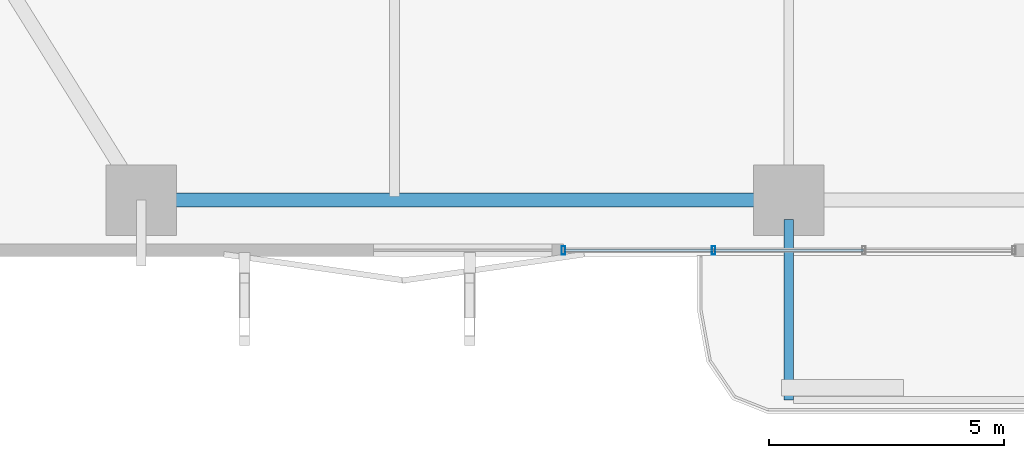
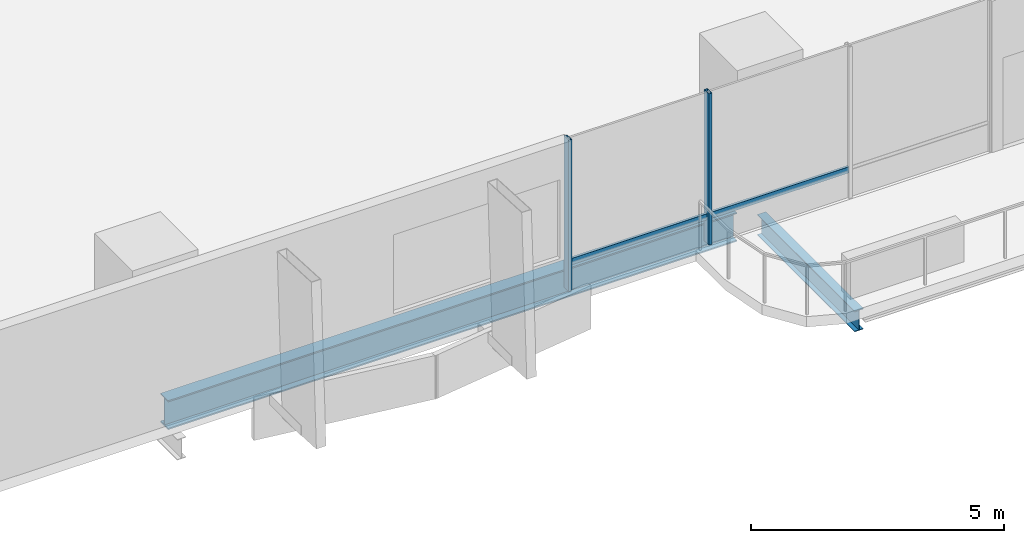
# One storey, part 2 of 24: 4 members, 2 beams, 1 element without a shape of its own.
"""IFC4 building model written with IfcOpenShell, lengths in metres."""

from ifc_helpers import new_model, si_unit, direction, frame, origin, origin_2d, place, context, subcontext, project, spatial, hollow_rectangle, i_section, extrude, material, layer, layer_set, material_profile, profile_set, type_object, element, aggregate, save


model = new_model("IFC4")

# Units and contexts
model_context = context("Model", 3, precision=1e-05, world=origin(), true_north=direction((0.0, 1.0)))
body_context = subcontext(model_context, "Body", "Model", "MODEL_VIEW")
ifc_project = project(units=[si_unit("LENGTHUNIT", "METRE"), si_unit("AREAUNIT", "SQUARE_METRE"), si_unit("VOLUMEUNIT", "CUBIC_METRE"), si_unit("PLANEANGLEUNIT", "RADIAN"), si_unit("MASSUNIT", "GRAM", prefix="KILO")], contexts=[model_context])

# Site, building, storey
site_placement = place(None, origin())
site = spatial("IfcSite", under=ifc_project, at=site_placement, CompositionType="ELEMENT")
building_placement = place(site_placement, origin())
building = spatial("IfcBuilding", under=site, at=building_placement, Name="Belovzor Exchange Tower", CompositionType="ELEMENT")
storey_placement = place(building_placement, frame((0.0, 0.0, 72.89990234375)))
storey = spatial("IfcBuildingStorey", under=building, at=storey_placement, Name="L17", CompositionType="ELEMENT", Elevation=72.89990234375)

# Beam
ifc_material_1 = material(Name="Steel S355", Category="steel")
ifc_material_profile_1 = material_profile(ifc_material_1, i_section(OverallWidth=0.199951171875, OverallDepth=0.5, WebThickness=0.01025390625, FlangeThickness=0.01611328125, at=origin_2d()))
ifc_profile_set_1 = profile_set([ifc_material_profile_1], Name="Steel S355")
beam_type_1 = type_object("IfcBeamType", Name="Planted Balcony Cantilever Beam IPE 500", PredefinedType="BEAM", material=ifc_profile_set_1)
beam_1_placement = place(storey_placement, frame((28.800048828125, 1.68798828125, -0.5), z_axis=(0.0, -1.0, 0.0), x_axis=(1.0, 0.0, 0.0)))
element("IfcBeam", 1, at=beam_1_placement, inside=storey, type_object=beam_type_1, Name="BC-500 Planted Balcony Cantilever Beam IPE 500", PredefinedType="BEAM", context=body_context, shape_type="SweptSolid", body=[
    extrude(i_section(OverallWidth=0.199951171875, OverallDepth=0.5, WebThickness=0.01025390625, FlangeThickness=0.01611328125, at=origin_2d()), origin(), (0.0, 0.0, 1.0), 3.85009765625),
])

# Curtain wall, members
ifc_material_2 = material(Name="Anodised Aluminium Framing", Category="aluminium")
ifc_layer = layer(ifc_material_2, 0.179931640625)
ifc_layer_set = layer_set([ifc_layer], Name="Anodised Aluminium Framing")
curtain_wall_type = type_object("IfcCurtainWallType", Name="Recessed Loggia Low-Iron Triple-Glazed Curtain Wall", PredefinedType="NOTDEFINED", material=ifc_layer_set)
curtain_wall_placement = place(storey_placement, origin())
curtain_wall = element("IfcCurtainWall", 2, at=curtain_wall_placement, inside=storey, type_object=curtain_wall_type, Name="CW3 Recessed Loggia Low-Iron Triple-Glazed Curtain Wall L17", PredefinedType="NOTDEFINED")
ifc_material_3 = material(Name="Steel S355", Category="steel")
ifc_material_profile_2 = material_profile(ifc_material_3, hollow_rectangle(XDim=0.074951171875, YDim=0.179931640625, WallThickness=0.0048828125, at=origin_2d()))
ifc_profile_set_2 = profile_set([ifc_material_profile_2], Name="Steel S355")
member_type_1 = type_object("IfcMemberType", Name="Thermally Broken Curtain Wall Mullion 180x75", PredefinedType="MULLION", material=ifc_profile_set_2)
member_1_placement = place(storey_placement, frame((27.199951171875, 1.030029296875, 0.0), z_axis=(0.0, 0.0, 1.0), x_axis=(-1.0, 0.0, 0.0)))
member_1 = element("IfcMember", 3, at=member_1_placement, type_object=member_type_1, Name="CW-M180 Curtain Wall Mullion 3", PredefinedType="MULLION", context=body_context, shape_type="SweptSolid", body=[
    extrude(hollow_rectangle(XDim=0.074951171875, YDim=0.179931640625, WallThickness=0.0048828125, at=origin_2d()), origin(), (0.0, 0.0, 1.0), 3.650146484375),
])
member_2_placement = place(storey_placement, frame((24.0, 1.030029296875, 0.0), z_axis=(0.0, 0.0, 1.0), x_axis=(-1.0, 0.0, 0.0)))
member_2 = element("IfcMember", 4, at=member_2_placement, type_object=member_type_1, Name="CW-M180 Curtain Wall Mullion 4", PredefinedType="MULLION", context=body_context, shape_type="SweptSolid", body=[
    extrude(hollow_rectangle(XDim=0.074951171875, YDim=0.179931640625, WallThickness=0.0048828125, at=origin_2d()), origin(), (0.0, 0.0, 1.0), 3.650146484375),
])
ifc_material_4 = material(Name="Steel S355", Category="steel")
ifc_material_profile_3 = material_profile(ifc_material_4, hollow_rectangle(XDim=0.06005859375, YDim=0.14990234375, WallThickness=0.00390625, at=origin_2d()))
ifc_profile_set_3 = profile_set([ifc_material_profile_3], Name="Steel S355")
member_type_2 = type_object("IfcMemberType", Name="Thermally Broken Curtain Wall Transom 150x60", PredefinedType="USERDEFINED", material=ifc_profile_set_3)
member_3_placement = place(storey_placement, frame((30.39208984375, 1.030029296875, 0.650146484375), z_axis=(-1.0, 0.0, 0.0), x_axis=(0.0, -1.0, 0.0)))
member_3 = element("IfcMember", 5, at=member_3_placement, type_object=member_type_2, Name="CW-T150 Curtain Wall Transom 2", ObjectType="TRANSOM", PredefinedType="USERDEFINED", context=body_context, shape_type="SweptSolid", body=[
    extrude(hollow_rectangle(XDim=0.06005859375, YDim=0.14990234375, WallThickness=0.00390625, at=origin_2d()), origin(), (0.0, 0.0, 1.0), 3.18408203125),
])
member_4_placement = place(storey_placement, frame((27.19189453125, 1.030029296875, 0.650146484375), z_axis=(-1.0, 0.0, 0.0), x_axis=(0.0, -1.0, 0.0)))
member_4 = element("IfcMember", 6, at=member_4_placement, type_object=member_type_2, Name="CW-T150 Curtain Wall Transom 3", ObjectType="TRANSOM", PredefinedType="USERDEFINED", context=body_context, shape_type="SweptSolid", body=[
    extrude(hollow_rectangle(XDim=0.06005859375, YDim=0.14990234375, WallThickness=0.00390625, at=origin_2d()), origin(), (0.0, 0.0, 1.0), 3.183837890625),
])
aggregate(curtain_wall, [member_1, member_2, member_3, member_4])

# Beam
ifc_material_5 = material(Name="Steel S355", Category="steel")
ifc_material_profile_4 = material_profile(ifc_material_5, i_section(OverallWidth=0.300048828125, OverallDepth=0.699951171875, WebThickness=0.01708984375, FlangeThickness=0.031982421875, at=origin_2d()))
ifc_profile_set_4 = profile_set([ifc_material_profile_4], Name="Steel S355")
beam_type_2 = type_object("IfcBeamType", Name="Zone 1 Primary Perimeter Girder HEB 700", PredefinedType="BEAM", material=ifc_profile_set_4)
beam_2_placement = place(storey_placement, frame((15.412109375, 2.10009765625, -0.599853515625), z_axis=(1.0, 0.0, 0.0), x_axis=(0.0, 1.0, 0.0)))
element("IfcBeam", 7, at=beam_2_placement, inside=storey, type_object=beam_type_2, Name="FG-Z1 Zone 1 Primary Perimeter Girder HEB 700", PredefinedType="BEAM", context=body_context, shape_type="SweptSolid", body=[
    extrude(i_section(OverallWidth=0.300048828125, OverallDepth=0.699951171875, WebThickness=0.01708984375, FlangeThickness=0.031982421875, at=origin_2d()), origin(), (0.0, 0.0, 1.0), 12.974853515625),
])

save(model, "model.ifc")
